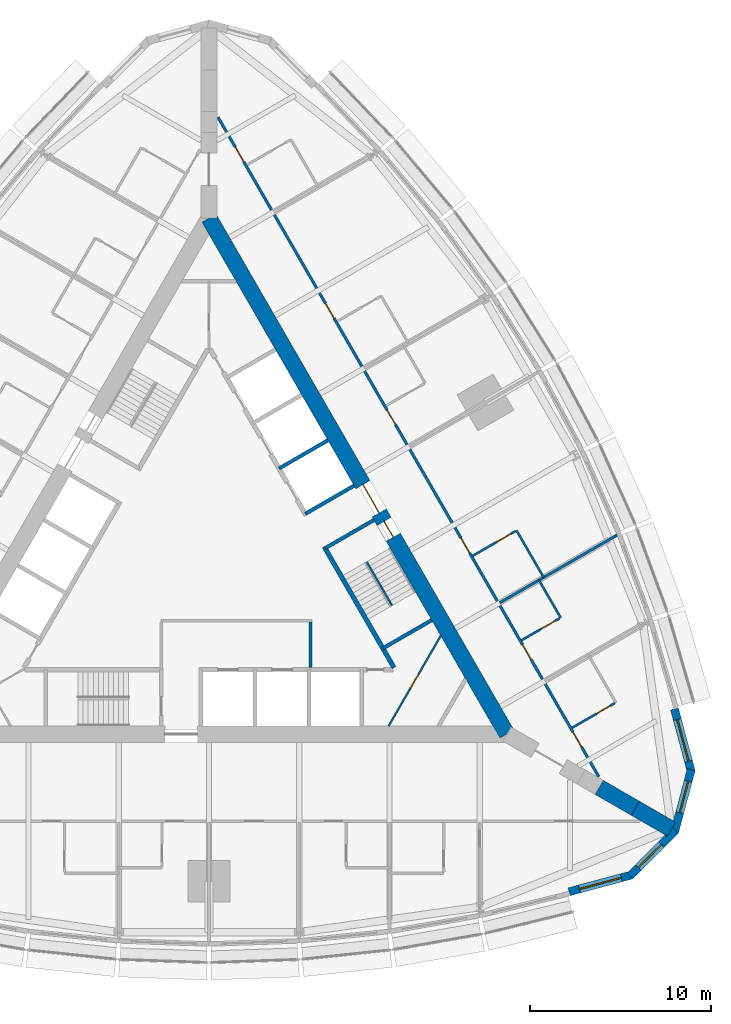
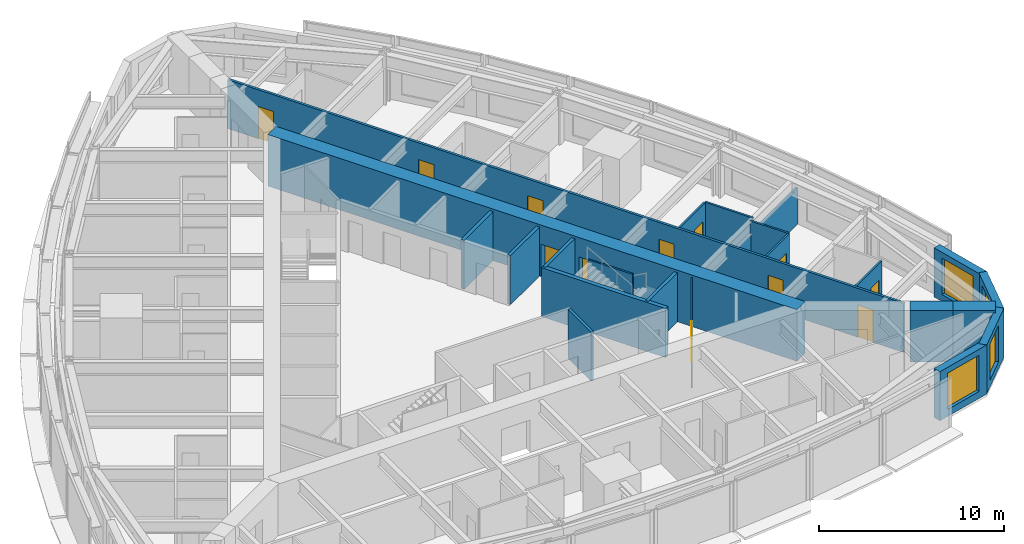
# One storey, part 11 of 14: 22 walls, 12 doors, 4 windows, 16 openings.
"""IFC4 building model written with IfcOpenShell, lengths in metres."""

from ifc_helpers import new_model, si_unit, direction, frame, frame_2d, origin, place, context, subcontext, project, spatial, polyline, rectangle, outline, extrude, material, layer, layer_set, type_object, element, fill, save


model = new_model("IFC4")

# Units and contexts
model_context = context("Model", 3, precision=1e-05, world=origin(), true_north=direction((0.0, 1.0)))
body_context = subcontext(model_context, "Body", "Model", "MODEL_VIEW")
ifc_project = project(units=[si_unit("LENGTHUNIT", "METRE"), si_unit("AREAUNIT", "SQUARE_METRE"), si_unit("VOLUMEUNIT", "CUBIC_METRE"), si_unit("PLANEANGLEUNIT", "RADIAN"), si_unit("MASSUNIT", "GRAM", prefix="KILO")], contexts=[model_context])

# Site, building, storey
site_placement = place(None, origin())
site = spatial("IfcSite", under=ifc_project, at=site_placement, CompositionType="ELEMENT")
building_placement = place(site_placement, origin())
building = spatial("IfcBuilding", under=site, at=building_placement, Name="Trikona Tower", CompositionType="ELEMENT")
storey_placement = place(building_placement, frame((0.0, 0.0, 128.300048828125)))
storey = spatial("IfcBuildingStorey", under=building, at=storey_placement, Name="L33", CompositionType="ELEMENT", Elevation=128.300048828125)

# Wall, opening, door
ifc_material_1 = material(Name="Metal stud and cement board", Category="gypsum")
ifc_layer_1 = layer(ifc_material_1, 0.1201171875)
ifc_layer_set_1 = layer_set([ifc_layer_1], Name="Bathroom wall 120")
wall_type_1 = type_object("IfcWallType", Name="Bathroom wall 120", PredefinedType="PLUMBINGWALL", material=ifc_layer_set_1)
wall_1_placement = place(storey_placement, frame((20.10791015625, -9.17529296875, 0.0), z_axis=(0.0, 0.0, 1.0), x_axis=(0.866035715982, 0.499982138324, 0.0)))
wall_1 = element("IfcWall", 1, at=wall_1_placement, inside=storey, type_object=wall_type_1, Name="Bathroom wall 3306", PredefinedType="PLUMBINGWALL", context=body_context, shape_type="SweptSolid", body=[
    extrude(rectangle(XDim=2.73974609375, YDim=0.1201171875, at=frame_2d((1.369873046875, 0.0))), origin(), (0.0, 0.0, 1.0), 3.23486328125),
])
opening_1_placement = place(wall_1_placement, frame((1.550048828125, 0.0, 0.0)))
opening_1 = element("IfcOpeningElement", 2, at=opening_1_placement, cuts=wall_1, Name="Opening D2", PredefinedType="OPENING", context=body_context, shape_type="SweptSolid", body=[
    extrude(rectangle(XDim=0.89990234375, YDim=2.1298828125, at=frame_2d((0.449951171875, 1.06494140625))), frame((0.0, 0.070068359375, 0.0), z_axis=(0.0, -1.0, 0.0), x_axis=(1.0, 0.0, 0.0)), (0.0, 0.0, 1.0), 0.14013671875),
])
ifc_material_2 = material(Name="Steel door frame with solid-core timber leaf", Category="steel")
door_type_1 = type_object("IfcDoorType", Name="Bathroom door 900x2130", OperationType="SLIDING_TO_LEFT", PredefinedType="DOOR", material=ifc_material_2)
door_1_placement = place(opening_1_placement, origin())
door_1 = element("IfcDoor", 3, at=door_1_placement, inside=storey, type_object=door_type_1, Name="Bathroom door 3306", OperationType="SLIDING_TO_LEFT", OverallHeight=2.1298828125, OverallWidth=0.89990234375, PredefinedType="DOOR", context=body_context, shape_type="SweptSolid", body=[
    extrude(rectangle(XDim=0.89990234375, YDim=2.1298828125, at=frame_2d((0.449951171875, 1.06494140625))), frame((0.0, 0.02490234375, 0.0), z_axis=(0.0, -1.0, 0.0), x_axis=(1.0, 0.0, 0.0)), (0.0, 0.0, 1.0), 0.050048828125),
])
fill(opening_1, door_1)

# Wall
wall_2_placement = place(storey_placement, frame((19.472900390625, -3.07568359375, 0.0), z_axis=(0.0, 0.0, 1.0), x_axis=(-0.499957262057, 0.866050077142, 0.0)))
element("IfcWall", 4, at=wall_2_placement, inside=storey, type_object=wall_type_1, Name="Bathroom wall 3307", PredefinedType="PLUMBINGWALL", context=body_context, shape_type="SweptSolid", body=[
    extrude(rectangle(XDim=2.400146484375, YDim=0.1201171875, at=frame_2d((1.2001953125, 0.0))), origin(), (0.0, 0.0, 1.0), 3.23486328125),
])

# Wall, opening, door
wall_3_placement = place(storey_placement, frame((17.307861328125, -4.32568359375, 0.0), z_axis=(0.0, 0.0, 1.0), x_axis=(0.866023955769, 0.500002508028, 0.0)))
wall_3 = element("IfcWall", 5, at=wall_3_placement, inside=storey, type_object=wall_type_1, Name="Bathroom wall 3307", PredefinedType="PLUMBINGWALL", context=body_context, shape_type="SweptSolid", body=[
    extrude(rectangle(XDim=2.43994140625, YDim=0.1201171875, at=frame_2d((1.219970703125, 0.0))), origin(), (0.0, 0.0, 1.0), 3.23486328125),
])
opening_2_placement = place(wall_3_placement, frame((1.25, 0.0, 0.0)))
opening_2 = element("IfcOpeningElement", 6, at=opening_2_placement, cuts=wall_3, Name="Opening D2", PredefinedType="OPENING", context=body_context, shape_type="SweptSolid", body=[
    extrude(rectangle(XDim=0.89990234375, YDim=2.1298828125, at=frame_2d((0.449951171875, 1.06494140625))), frame((0.0, 0.070068359375, 0.0), z_axis=(0.0, -1.0, 0.0), x_axis=(1.0, 0.0, 0.0)), (0.0, 0.0, 1.0), 0.14013671875),
])
door_2_placement = place(opening_2_placement, origin())
door_2 = element("IfcDoor", 7, at=door_2_placement, inside=storey, type_object=door_type_1, Name="Bathroom door 3307", OperationType="SLIDING_TO_LEFT", OverallHeight=2.1298828125, OverallWidth=0.89990234375, PredefinedType="DOOR", context=body_context, shape_type="SweptSolid", body=[
    extrude(rectangle(XDim=0.89990234375, YDim=2.1298828125, at=frame_2d((0.449951171875, 1.06494140625))), frame((0.0, 0.02490234375, 0.0), z_axis=(0.0, -1.0, 0.0), x_axis=(1.0, 0.0, 0.0)), (0.0, 0.0, 1.0), 0.050048828125),
])
fill(opening_2, door_2)

# Wall
wall_4_placement = place(storey_placement, frame((18.53271484375, -0.84716796875, 0.0), z_axis=(0.0, 0.0, 1.0), x_axis=(-0.499990139034, 0.866031096941, 0.0)))
element("IfcWall", 8, at=wall_4_placement, inside=storey, type_object=wall_type_1, Name="Bathroom wall 3308", PredefinedType="PLUMBINGWALL", context=body_context, shape_type="SweptSolid", body=[
    extrude(rectangle(XDim=3.0, YDim=0.1201171875, at=frame_2d((1.5, 0.0))), origin(), (0.0, 0.0, 1.0), 3.23486328125),
])

# Wall, opening, door
wall_5_placement = place(storey_placement, frame((14.60791015625, 0.35107421875, 0.0), z_axis=(0.0, 0.0, 1.0), x_axis=(0.866035715982, 0.499982138324, 0.0)))
wall_5 = element("IfcWall", 9, at=wall_5_placement, inside=storey, type_object=wall_type_1, Name="Bathroom wall 3308", PredefinedType="PLUMBINGWALL", context=body_context, shape_type="SweptSolid", body=[
    extrude(rectangle(XDim=2.73974609375, YDim=0.1201171875, at=frame_2d((1.369873046875, 0.0))), origin(), (0.0, 0.0, 1.0), 3.23486328125),
])
opening_3_placement = place(wall_5_placement, frame((1.550048828125, 0.0, 0.0)))
opening_3 = element("IfcOpeningElement", 10, at=opening_3_placement, cuts=wall_5, Name="Opening D2", PredefinedType="OPENING", context=body_context, shape_type="SweptSolid", body=[
    extrude(rectangle(XDim=0.89990234375, YDim=2.1298828125, at=frame_2d((0.449951171875, 1.06494140625))), frame((0.0, 0.070068359375, 0.0), z_axis=(0.0, -1.0, 0.0), x_axis=(1.0, 0.0, 0.0)), (0.0, 0.0, 1.0), 0.14013671875),
])
door_3_placement = place(opening_3_placement, origin())
door_3 = element("IfcDoor", 11, at=door_3_placement, inside=storey, type_object=door_type_1, Name="Bathroom door 3308", OperationType="SLIDING_TO_LEFT", OverallHeight=2.1298828125, OverallWidth=0.89990234375, PredefinedType="DOOR", context=body_context, shape_type="SweptSolid", body=[
    extrude(rectangle(XDim=0.89990234375, YDim=2.1298828125, at=frame_2d((0.449951171875, 1.06494140625))), frame((0.0, 0.02490234375, 0.0), z_axis=(0.0, -1.0, 0.0), x_axis=(1.0, 0.0, 0.0)), (0.0, 0.0, 1.0), 0.050048828125),
])
fill(opening_3, door_3)

# Wall, opening, window
ifc_material_3 = material(Name="Brick-faced precast concrete", Category="masonry")
ifc_layer_2 = layer(ifc_material_3, 0.449951171875)
ifc_layer_set_2 = layer_set([ifc_layer_2], Name="Brick-faced corner wall 450")
wall_type_2 = type_object("IfcWallType", Name="Brick-faced corner wall 450", PredefinedType="SOLIDWALL", material=ifc_layer_set_2)
wall_6_placement = place(storey_placement, frame((19.94189453125, -18.2578125, 0.0), z_axis=(0.0, 0.0, 1.0), x_axis=(0.965924653531, 0.258823421857, 0.0)))
wall_6 = element("IfcWall", 12, at=wall_6_placement, inside=storey, type_object=wall_type_2, Name="External wall L33-08", PredefinedType="SOLIDWALL", context=body_context, shape_type="SweptSolid", body=[
    extrude(rectangle(XDim=3.58642578125, YDim=0.449951171875, at=frame_2d((1.793212890625, 0.0))), origin(), (0.0, 0.0, 1.0), 3.23486328125),
])
opening_4_placement = place(wall_6_placement, frame((0.593017578125, 0.0, 0.449951171875)))
opening_4 = element("IfcOpeningElement", 13, at=opening_4_placement, cuts=wall_6, Name="Opening W2424", PredefinedType="OPENING", context=body_context, shape_type="SweptSolid", body=[
    extrude(rectangle(XDim=2.39990234375, YDim=2.39990234375, at=frame_2d((1.199951171875, 1.199951171875))), frame((0.0, 0.23486328125, 0.0), z_axis=(0.0, -1.0, 0.0), x_axis=(1.0, 0.0, 0.0)), (0.0, 0.0, 1.0), 0.469970703125),
])
ifc_material_4 = material(Name="Aluminium-framed double glazing", Category="aluminium")
window_type_1 = type_object("IfcWindowType", Name="Window 2400x2400", PartitioningType="SINGLE_PANEL", PredefinedType="WINDOW", material=ifc_material_4)
window_1_placement = place(opening_4_placement, origin())
window_1 = element("IfcWindow", 14, at=window_1_placement, inside=storey, type_object=window_type_1, Name="Window 3305", OverallHeight=2.39990234375, OverallWidth=2.39990234375, PartitioningType="SINGLE_PANEL", PredefinedType="WINDOW", context=body_context, shape_type="SweptSolid", body=[
    extrude(rectangle(XDim=2.39990234375, YDim=2.39990234375, at=frame_2d((1.199951171875, 1.199951171875))), frame((0.0, 0.030029296875, 0.0), z_axis=(0.0, -1.0, 0.0), x_axis=(1.0, 0.0, 0.0)), (0.0, 0.0, 1.0), 0.06005859375),
])
fill(opening_4, window_1)

wall_7_placement = place(storey_placement, frame((23.304931640625, -17.387939453125, 0.0), z_axis=(0.0, 0.0, 1.0), x_axis=(0.707106781187, 0.707106781187, 0.0)))
wall_7 = element("IfcWall", 15, at=wall_7_placement, inside=storey, type_object=wall_type_2, Name="External wall L33-09", PredefinedType="SOLIDWALL", context=body_context, shape_type="SweptSolid", body=[
    extrude(outline(polyline([(3.586181640625, 0.22509765625), (3.527099609375, 0.22509765625), (3.03515625, 0.09326171875), (3.0, 0.22509765625), (0.0, 0.22509765625), (0.0, -0.22509765625), (3.586181640625, -0.22509765625), (3.586181640625, 0.22509765625)])), origin(), (0.0, 0.0, 1.0), 3.23486328125),
])
opening_5_placement = place(wall_7_placement, frame((0.6748046875, 0.0, 0.449951171875)))
opening_5 = element("IfcOpeningElement", 16, at=opening_5_placement, cuts=wall_7, Name="Opening W1824", PredefinedType="OPENING", context=body_context, shape_type="SweptSolid", body=[
    extrude(rectangle(XDim=1.800048828125, YDim=2.39990234375, at=frame_2d((0.89990234375, 1.199951171875))), frame((0.0, 0.23486328125, 0.0), z_axis=(0.0, -1.0, 0.0), x_axis=(1.0, 0.0, 0.0)), (0.0, 0.0, 1.0), 0.469970703125),
])
ifc_material_5 = material(Name="Aluminium-framed double glazing", Category="aluminium")
window_type_2 = type_object("IfcWindowType", Name="Window 1800x2400", PartitioningType="SINGLE_PANEL", PredefinedType="WINDOW", material=ifc_material_5)
window_2_placement = place(opening_5_placement, origin())
window_2 = element("IfcWindow", 17, at=window_2_placement, inside=storey, type_object=window_type_2, Name="Window 3305", OverallHeight=2.39990234375, OverallWidth=1.800048828125, PartitioningType="SINGLE_PANEL", PredefinedType="WINDOW", context=body_context, shape_type="SweptSolid", body=[
    extrude(rectangle(XDim=1.800048828125, YDim=2.39990234375, at=frame_2d((0.89990234375, 1.199951171875))), frame((0.0, 0.030029296875, 0.0), z_axis=(0.0, -1.0, 0.0), x_axis=(1.0, 0.0, 0.0)), (0.0, 0.0, 1.0), 0.06005859375),
])
fill(opening_5, window_2)

wall_8_placement = place(storey_placement, frame((25.78271484375, -14.952880859375, 0.0), z_axis=(0.0, 0.0, 1.0), x_axis=(0.258823421857, 0.965924653531, 0.0)))
wall_8 = element("IfcWall", 18, at=wall_8_placement, inside=storey, type_object=wall_type_2, Name="External wall L33-10", PredefinedType="SOLIDWALL", context=body_context, shape_type="SweptSolid", body=[
    extrude(outline(polyline([(3.58642578125, 0.22509765625), (0.58642578125, 0.22509765625), (0.551025390625, 0.09326171875), (0.0595703125, 0.22509765625), (0.0, 0.22509765625), (0.0, -0.22509765625), (3.58642578125, -0.22509765625), (3.58642578125, 0.22509765625)])), origin(), (0.0, 0.0, 1.0), 3.23486328125),
])
opening_6_placement = place(wall_8_placement, frame((1.111328125, 0.0, 0.449951171875)))
opening_6 = element("IfcOpeningElement", 19, at=opening_6_placement, cuts=wall_8, Name="Opening W1824", PredefinedType="OPENING", context=body_context, shape_type="SweptSolid", body=[
    extrude(rectangle(XDim=1.800048828125, YDim=2.39990234375, at=frame_2d((0.89990234375, 1.199951171875))), frame((0.0, 0.23486328125, 0.0), z_axis=(0.0, -1.0, 0.0), x_axis=(1.0, 0.0, 0.0)), (0.0, 0.0, 1.0), 0.469970703125),
])
window_3_placement = place(opening_6_placement, origin())
window_3 = element("IfcWindow", 20, at=window_3_placement, inside=storey, type_object=window_type_2, Name="Window 3306", OverallHeight=2.39990234375, OverallWidth=1.800048828125, PartitioningType="SINGLE_PANEL", PredefinedType="WINDOW", context=body_context, shape_type="SweptSolid", body=[
    extrude(rectangle(XDim=1.800048828125, YDim=2.39990234375, at=frame_2d((0.89990234375, 1.199951171875))), frame((0.0, 0.030029296875, 0.0), z_axis=(0.0, -1.0, 0.0), x_axis=(1.0, 0.0, 0.0)), (0.0, 0.0, 1.0), 0.06005859375),
])
fill(opening_6, window_3)

wall_9_placement = place(storey_placement, frame((26.7109375, -11.605224609375, 0.0), z_axis=(0.0, 0.0, 1.0), x_axis=(-0.258823421857, 0.965924653531, 0.0)))
wall_9 = element("IfcWall", 21, at=wall_9_placement, inside=storey, type_object=wall_type_2, Name="External wall L33-11", PredefinedType="SOLIDWALL", context=body_context, shape_type="SweptSolid", body=[
    extrude(rectangle(XDim=3.58642578125, YDim=0.449951171875, at=frame_2d((1.793212890625, 0.0))), origin(), (0.0, 0.0, 1.0), 3.23486328125),
])
opening_7_placement = place(wall_9_placement, frame((0.593017578125, 0.0, 0.449951171875)))
opening_7 = element("IfcOpeningElement", 22, at=opening_7_placement, cuts=wall_9, Name="Opening W2424", PredefinedType="OPENING", context=body_context, shape_type="SweptSolid", body=[
    extrude(rectangle(XDim=2.39990234375, YDim=2.39990234375, at=frame_2d((1.199951171875, 1.199951171875))), frame((0.0, 0.23486328125, 0.0), z_axis=(0.0, -1.0, 0.0), x_axis=(1.0, 0.0, 0.0)), (0.0, 0.0, 1.0), 0.469970703125),
])
window_4_placement = place(opening_7_placement, origin())
window_4 = element("IfcWindow", 23, at=window_4_placement, inside=storey, type_object=window_type_1, Name="Window 3306", OverallHeight=2.39990234375, OverallWidth=2.39990234375, PartitioningType="SINGLE_PANEL", PredefinedType="WINDOW", context=body_context, shape_type="SweptSolid", body=[
    extrude(rectangle(XDim=2.39990234375, YDim=2.39990234375, at=frame_2d((1.199951171875, 1.199951171875))), frame((0.0, 0.030029296875, 0.0), z_axis=(0.0, -1.0, 0.0), x_axis=(1.0, 0.0, 0.0)), (0.0, 0.0, 1.0), 0.06005859375),
])
fill(opening_7, window_4)

# Walls
ifc_material_6 = material(Name="Concrete f'c 10000 psi", Category="concrete")
ifc_layer_3 = layer(ifc_material_6, 0.89990234375)
ifc_layer_set_3 = layer_set([ifc_layer_3], Name="Buttress wall 900")
wall_type_3 = type_object("IfcWallType", Name="Buttress wall 900", PredefinedType="SHEAR", material=ifc_layer_set_3)
for number, where, z_axis, x_axis, name in (
    (24, (21.6103515625, -12.476806640625, 0.0), (0.0, 0.0, 1.0), (0.866055313784, -0.499948190782, 0.0), "Buttress wall 1 part 3"),
    (25, (23.6103515625, -13.63134765625, 0.0), (0.0, 0.0, 1.0), (0.866009537788, -0.500027479704, 0.0), "Buttress wall 1 part 4"),
):
    element("IfcWall", number, at=place(storey_placement, frame(where, z_axis=z_axis, x_axis=x_axis)), inside=storey, type_object=wall_type_3, Name=name, PredefinedType="SHEAR", context=body_context, shape_type="SweptSolid", body=[
        extrude(rectangle(XDim=2.309326171875, YDim=0.89990234375, at=frame_2d((1.15478515625, 0.0))), origin(), (0.0, 0.0, 1.0), 3.39990234375),
    ])

# Wall, openings, doors
ifc_material_7 = material(Name="Concrete f'c 10000 psi", Category="concrete")
ifc_layer_4 = layer(ifc_material_7, 0.89990234375)
ifc_layer_set_4 = layer_set([ifc_layer_4], Name="Core wall 900")
wall_type_4 = type_object("IfcWallType", Name="Core wall 900", PredefinedType="SHEAR", material=ifc_layer_set_4)
wall_10_placement = place(storey_placement, frame((16.5, -9.5263671875, 0.0), z_axis=(0.0, 0.0, 1.0), x_axis=(-0.499999749417, 0.866025548458, 0.0)))
wall_10 = element("IfcWall", 26, at=wall_10_placement, inside=storey, type_object=wall_type_4, Name="Core wall B", PredefinedType="SHEAR", context=body_context, shape_type="SweptSolid", body=[
    extrude(rectangle(XDim=33.0, YDim=0.89990234375, at=frame_2d((16.5, 0.0))), origin(), (0.0, 0.0, 1.0), 3.39990234375),
])
opening_8_placement = place(wall_10_placement, frame((14.14990234375, 0.0, 0.0)))
opening_8 = element("IfcOpeningElement", 27, at=opening_8_placement, cuts=wall_10, Name="Opening D6", PredefinedType="OPENING", context=body_context, shape_type="SweptSolid", body=[
    extrude(rectangle(XDim=1.800048828125, YDim=2.1298828125, at=frame_2d((0.89990234375, 1.06494140625))), frame((0.0, 0.4599609375, 0.0), z_axis=(0.0, -1.0, 0.0), x_axis=(1.0, 0.0, 0.0)), (0.0, 0.0, 1.0), 0.919921875),
])
opening_9_placement = place(wall_10_placement, frame((12.60009765625, 0.0, 0.0)))
opening_9 = element("IfcOpeningElement", 28, at=opening_9_placement, cuts=wall_10, Name="Opening D5", PredefinedType="OPENING", context=body_context, shape_type="SweptSolid", body=[
    extrude(rectangle(XDim=1.0, YDim=2.1298828125, at=frame_2d((0.5, 1.06494140625))), frame((0.0, 0.4599609375, 0.0), z_axis=(0.0, -1.0, 0.0), x_axis=(1.0, 0.0, 0.0)), (0.0, 0.0, 1.0), 0.919921875),
])
ifc_material_8 = material(Name="Hollow metal door and frame", Category="steel")
door_type_2 = type_object("IfcDoorType", Name="Lobby door pair 1800x2130", OperationType="DOUBLE_DOOR_SINGLE_SWING", PredefinedType="DOOR", material=ifc_material_8)
door_4_placement = place(opening_8_placement, origin())
door_4 = element("IfcDoor", 29, at=door_4_placement, inside=storey, type_object=door_type_2, Name="Lift lobby door B", OperationType="DOUBLE_DOOR_SINGLE_SWING", OverallHeight=2.1298828125, OverallWidth=1.800048828125, PredefinedType="DOOR", context=body_context, shape_type="SweptSolid", body=[
    extrude(rectangle(XDim=1.800048828125, YDim=2.1298828125, at=frame_2d((0.89990234375, 1.06494140625))), frame((0.0, 0.02490234375, 0.0), z_axis=(0.0, -1.0, 0.0), x_axis=(1.0, 0.0, 0.0)), (0.0, 0.0, 1.0), 0.050048828125),
])
fill(opening_8, door_4)
ifc_material_9 = material(Name="Hollow metal door and frame", Category="steel")
door_type_3 = type_object("IfcDoorType", Name="Stair door 1000x2130", OperationType="SINGLE_SWING_LEFT", PredefinedType="DOOR", material=ifc_material_9)
door_5_placement = place(opening_9_placement, origin())
door_5 = element("IfcDoor", 30, at=door_5_placement, inside=storey, type_object=door_type_3, Name="Stair B door", OperationType="SINGLE_SWING_RIGHT", OverallHeight=2.1298828125, OverallWidth=1.0, PredefinedType="DOOR", context=body_context, shape_type="SweptSolid", body=[
    extrude(rectangle(XDim=1.0, YDim=2.1298828125, at=frame_2d((0.5, 1.06494140625))), frame((0.0, 0.02490234375, 0.0), z_axis=(0.0, -1.0, 0.0), x_axis=(1.0, 0.0, 0.0)), (0.0, 0.0, 1.0), 0.050048828125),
])
fill(opening_9, door_5)

ifc_material_10 = material(Name="Metal stud and gypsum board, 1-hour", Category="gypsum")
ifc_layer_5 = layer(ifc_material_10, 0.14990234375)
ifc_layer_set_5 = layer_set([ifc_layer_5], Name="Corridor wall 150")
wall_type_5 = type_object("IfcWallType", Name="Corridor wall 150", PredefinedType="PARTITIONING", material=ifc_layer_set_5)
wall_11_placement = place(storey_placement, frame((21.5859375, -11.88525390625, 0.0), z_axis=(0.0, 0.0, 1.0), x_axis=(-0.500001915564, 0.86602429783, 0.0)))
wall_11 = element("IfcWall", 31, at=wall_11_placement, inside=storey, type_object=wall_type_5, Name="Corridor wall L33-2", PredefinedType="PARTITIONING", context=body_context, shape_type="SweptSolid", body=[
    extrude(rectangle(XDim=42.171630859375, YDim=0.14990234375, at=frame_2d((21.0859375, 0.0))), origin(), (0.0, 0.0, 1.0), 3.23486328125),
])
opening_10_placement = place(wall_11_placement, frame((1.910888671875, 0.0, 0.0)))
opening_10 = element("IfcOpeningElement", 32, at=opening_10_placement, cuts=wall_11, Name="Opening D1", PredefinedType="OPENING", context=body_context, shape_type="SweptSolid", body=[
    extrude(rectangle(XDim=0.949951171875, YDim=2.1298828125, at=frame_2d((0.47509765625, 1.06494140625))), frame((0.0, 0.0849609375, 0.0), z_axis=(0.0, -1.0, 0.0), x_axis=(1.0, 0.0, 0.0)), (0.0, 0.0, 1.0), 0.169921875),
])
opening_11_placement = place(wall_11_placement, frame((7.510986328125, 0.0, 0.0)))
opening_11 = element("IfcOpeningElement", 33, at=opening_11_placement, cuts=wall_11, Name="Opening D1", PredefinedType="OPENING", context=body_context, shape_type="SweptSolid", body=[
    extrude(rectangle(XDim=0.949951171875, YDim=2.1298828125, at=frame_2d((0.47509765625, 1.06494140625))), frame((0.0, 0.0849609375, 0.0), z_axis=(0.0, -1.0, 0.0), x_axis=(1.0, 0.0, 0.0)), (0.0, 0.0, 1.0), 0.169921875),
])
opening_12_placement = place(wall_11_placement, frame((14.310791015625, 0.0, 0.0)))
opening_12 = element("IfcOpeningElement", 34, at=opening_12_placement, cuts=wall_11, Name="Opening D1", PredefinedType="OPENING", context=body_context, shape_type="SweptSolid", body=[
    extrude(rectangle(XDim=0.949951171875, YDim=2.1298828125, at=frame_2d((0.47509765625, 1.06494140625))), frame((0.0, 0.0849609375, 0.0), z_axis=(0.0, -1.0, 0.0), x_axis=(1.0, 0.0, 0.0)), (0.0, 0.0, 1.0), 0.169921875),
])
opening_13_placement = place(wall_11_placement, frame((22.510986328125, 0.0, 0.0)))
opening_13 = element("IfcOpeningElement", 35, at=opening_13_placement, cuts=wall_11, Name="Opening D1", PredefinedType="OPENING", context=body_context, shape_type="SweptSolid", body=[
    extrude(rectangle(XDim=0.949951171875, YDim=2.1298828125, at=frame_2d((0.47509765625, 1.06494140625))), frame((0.0, 0.0849609375, 0.0), z_axis=(0.0, -1.0, 0.0), x_axis=(1.0, 0.0, 0.0)), (0.0, 0.0, 1.0), 0.169921875),
])
opening_14_placement = place(wall_11_placement, frame((29.310791015625, 0.0, 0.0)))
opening_14 = element("IfcOpeningElement", 36, at=opening_14_placement, cuts=wall_11, Name="Opening D1", PredefinedType="OPENING", context=body_context, shape_type="SweptSolid", body=[
    extrude(rectangle(XDim=0.949951171875, YDim=2.1298828125, at=frame_2d((0.47509765625, 1.06494140625))), frame((0.0, 0.0849609375, 0.0), z_axis=(0.0, -1.0, 0.0), x_axis=(1.0, 0.0, 0.0)), (0.0, 0.0, 1.0), 0.169921875),
])
opening_15_placement = place(wall_11_placement, frame((39.310791015625, 0.0, 0.0)))
opening_15 = element("IfcOpeningElement", 37, at=opening_15_placement, cuts=wall_11, Name="Opening D1", PredefinedType="OPENING", context=body_context, shape_type="SweptSolid", body=[
    extrude(rectangle(XDim=0.949951171875, YDim=2.1298828125, at=frame_2d((0.47509765625, 1.06494140625))), frame((0.0, 0.0849609375, 0.0), z_axis=(0.0, -1.0, 0.0), x_axis=(1.0, 0.0, 0.0)), (0.0, 0.0, 1.0), 0.169921875),
])
ifc_material_11 = material(Name="Steel door frame with solid-core timber leaf", Category="steel")
door_type_4 = type_object("IfcDoorType", Name="Guest room door 950x2130", OperationType="SINGLE_SWING_LEFT", PredefinedType="DOOR", material=ifc_material_11)
door_6_placement = place(opening_10_placement, origin())
door_6 = element("IfcDoor", 38, at=door_6_placement, inside=storey, type_object=door_type_4, Name="Room door 3306", OperationType="SINGLE_SWING_LEFT", OverallHeight=2.1298828125, OverallWidth=0.949951171875, PredefinedType="DOOR", context=body_context, shape_type="SweptSolid", body=[
    extrude(rectangle(XDim=0.949951171875, YDim=2.1298828125, at=frame_2d((0.47509765625, 1.06494140625))), frame((0.0, 0.02490234375, 0.0), z_axis=(0.0, -1.0, 0.0), x_axis=(1.0, 0.0, 0.0)), (0.0, 0.0, 1.0), 0.050048828125),
])
fill(opening_10, door_6)
door_7_placement = place(opening_11_placement, origin())
door_7 = element("IfcDoor", 39, at=door_7_placement, inside=storey, type_object=door_type_4, Name="Room door 3307", OperationType="SINGLE_SWING_RIGHT", OverallHeight=2.1298828125, OverallWidth=0.949951171875, PredefinedType="DOOR", context=body_context, shape_type="SweptSolid", body=[
    extrude(rectangle(XDim=0.949951171875, YDim=2.1298828125, at=frame_2d((0.47509765625, 1.06494140625))), frame((0.0, 0.02490234375, 0.0), z_axis=(0.0, -1.0, 0.0), x_axis=(1.0, 0.0, 0.0)), (0.0, 0.0, 1.0), 0.050048828125),
])
fill(opening_11, door_7)
door_8_placement = place(opening_12_placement, origin())
door_8 = element("IfcDoor", 40, at=door_8_placement, inside=storey, type_object=door_type_4, Name="Room door 3308", OperationType="SINGLE_SWING_LEFT", OverallHeight=2.1298828125, OverallWidth=0.949951171875, PredefinedType="DOOR", context=body_context, shape_type="SweptSolid", body=[
    extrude(rectangle(XDim=0.949951171875, YDim=2.1298828125, at=frame_2d((0.47509765625, 1.06494140625))), frame((0.0, 0.02490234375, 0.0), z_axis=(0.0, -1.0, 0.0), x_axis=(1.0, 0.0, 0.0)), (0.0, 0.0, 1.0), 0.050048828125),
])
fill(opening_12, door_8)
door_9_placement = place(opening_13_placement, origin())
door_9 = element("IfcDoor", 41, at=door_9_placement, inside=storey, type_object=door_type_4, Name="Room door 3309", OperationType="SINGLE_SWING_RIGHT", OverallHeight=2.1298828125, OverallWidth=0.949951171875, PredefinedType="DOOR", context=body_context, shape_type="SweptSolid", body=[
    extrude(rectangle(XDim=0.949951171875, YDim=2.1298828125, at=frame_2d((0.47509765625, 1.06494140625))), frame((0.0, 0.02490234375, 0.0), z_axis=(0.0, -1.0, 0.0), x_axis=(1.0, 0.0, 0.0)), (0.0, 0.0, 1.0), 0.050048828125),
])
fill(opening_13, door_9)
door_10_placement = place(opening_14_placement, origin())
door_10 = element("IfcDoor", 42, at=door_10_placement, inside=storey, type_object=door_type_4, Name="Room door 3310", OperationType="SINGLE_SWING_LEFT", OverallHeight=2.1298828125, OverallWidth=0.949951171875, PredefinedType="DOOR", context=body_context, shape_type="SweptSolid", body=[
    extrude(rectangle(XDim=0.949951171875, YDim=2.1298828125, at=frame_2d((0.47509765625, 1.06494140625))), frame((0.0, 0.02490234375, 0.0), z_axis=(0.0, -1.0, 0.0), x_axis=(1.0, 0.0, 0.0)), (0.0, 0.0, 1.0), 0.050048828125),
])
fill(opening_14, door_10)
door_11_placement = place(opening_15_placement, origin())
door_11 = element("IfcDoor", 43, at=door_11_placement, inside=storey, type_object=door_type_4, Name="Room door 3311", OperationType="SINGLE_SWING_RIGHT", OverallHeight=2.1298828125, OverallWidth=0.949951171875, PredefinedType="DOOR", context=body_context, shape_type="SweptSolid", body=[
    extrude(rectangle(XDim=0.949951171875, YDim=2.1298828125, at=frame_2d((0.47509765625, 1.06494140625))), frame((0.0, 0.02490234375, 0.0), z_axis=(0.0, -1.0, 0.0), x_axis=(1.0, 0.0, 0.0)), (0.0, 0.0, 1.0), 0.050048828125),
])
fill(opening_15, door_11)

# Walls
ifc_material_12 = material(Name="Concrete f'c 8000 psi", Category="concrete")
ifc_layer_6 = layer(ifc_material_12, 0.25)
ifc_layer_set_6 = layer_set([ifc_layer_6], Name="Hub wall 250")
wall_type_6 = type_object("IfcWallType", Name="Hub wall 250", PredefinedType="SOLIDWALL", material=ifc_layer_set_6)
wall_12_placement = place(storey_placement, frame((10.245361328125, -5.843017578125, 0.0), z_axis=(0.0, 0.0, 1.0), x_axis=(-0.499993009313, 0.866029439822, 0.0)))
element("IfcWall", 44, at=wall_12_placement, inside=storey, type_object=wall_type_6, Name="Lift lobby wall B1", PredefinedType="SOLIDWALL", context=body_context, shape_type="SweptSolid", body=[
    extrude(rectangle(XDim=7.73291015625, YDim=0.25, at=frame_2d((3.866455078125, 0.0))), origin(), (0.0, 0.0, 1.0), 3.23486328125),
])
ifc_material_13 = material(Name="Metal stud and gypsum board, 2-hour shaft wall", Category="gypsum")
ifc_layer_7 = layer(ifc_material_13, 0.14990234375)
ifc_layer_set_7 = layer_set([ifc_layer_7], Name="Lobby wall 150")
wall_type_7 = type_object("IfcWallType", Name="Lobby wall 150", PredefinedType="PARTITIONING", material=ifc_layer_set_7)
wall_13_placement = place(storey_placement, frame((5.625, -5.826416015625, 0.0), z_axis=(0.0, 0.0, 1.0), x_axis=(0.0, 1.0, 0.0)))
element("IfcWall", 45, at=wall_13_placement, inside=storey, type_object=wall_type_7, Name="Fire service lift lobby wall 3", PredefinedType="PARTITIONING", context=body_context, shape_type="SweptSolid", body=[
    extrude(rectangle(XDim=2.5, YDim=0.14990234375, at=frame_2d((1.25, 0.0))), origin(), (0.0, 0.0, 1.0), 3.23486328125),
])
ifc_material_14 = material(Name="Metal stud and gypsum board, 1-hour acoustic", Category="gypsum")
ifc_layer_8 = layer(ifc_material_14, 0.14990234375)
ifc_layer_set_8 = layer_set([ifc_layer_8], Name="Party wall 150")
wall_type_8 = type_object("IfcWallType", Name="Party wall 150", PredefinedType="PARTITIONING", material=ifc_layer_set_8)
wall_14_placement = place(storey_placement, frame((16.10791015625, -2.2470703125, 0.0), z_axis=(0.0, 0.0, 1.0), x_axis=(0.866025567496, 0.499999716443, 0.0)))
element("IfcWall", 46, at=wall_14_placement, inside=storey, type_object=wall_type_8, Name="Partition L33 F2 u-10", PredefinedType="PARTITIONING", context=body_context, shape_type="SweptSolid", body=[
    extrude(rectangle(XDim=7.4951171875, YDim=0.14990234375, at=frame_2d((3.74755859375, 0.0))), origin(), (0.0, 0.0, 1.0), 2.38916015625),
])
ifc_material_15 = material(Name="Concrete f'c 8000 psi", Category="concrete")
ifc_layer_9 = layer(ifc_material_15, 0.199951171875)
ifc_layer_set_9 = layer_set([ifc_layer_9], Name="Shaft wall 200")
wall_type_9 = type_object("IfcWallType", Name="Shaft wall 200", PredefinedType="SOLIDWALL", material=ifc_layer_set_9)
for number, where, z_axis, x_axis, name in (
    (47, (5.3291015625, 2.672607421875, 0.0), (0.0, 0.0, 1.0), (0.866022959057, 0.500004234368, 0.0), "Shaft wall B3"),
    (48, (3.87890625, 5.18408203125, 0.0), (0.0, 0.0, 1.0), (0.866022959057, 0.500004234368, 0.0), "Shaft wall B4"),
):
    element("IfcWall", number, at=place(storey_placement, frame(where, z_axis=z_axis, x_axis=x_axis)), inside=storey, type_object=wall_type_9, Name=name, PredefinedType="SOLIDWALL", context=body_context, shape_type="SweptSolid", body=[
        extrude(rectangle(XDim=3.125, YDim=0.199951171875, at=frame_2d((1.5625, 0.0))), origin(), (0.0, 0.0, 1.0), 3.23486328125),
    ])
ifc_material_16 = material(Name="Concrete f'c 8000 psi", Category="concrete")
ifc_layer_10 = layer(ifc_material_16, 0.199951171875)
ifc_layer_set_10 = layer_set([ifc_layer_10], Name="Shaft wall 200 load-bearing")
wall_type_10 = type_object("IfcWallType", Name="Shaft wall 200 load-bearing", PredefinedType="SOLIDWALL", material=ifc_layer_set_10)
for number, where, z_axis, x_axis, name in (
    (49, (9.62890625, -4.775390625, 0.0), (0.0, 0.0, 1.0), (0.866022959057, 0.500004234368, 0.0), "Shaft wall B1"),
    (50, (6.428955078125, 0.767333984375, 0.0), (0.0, 0.0, 1.0), (0.866022959057, 0.500004234368, 0.0), "Shaft wall B2"),
):
    element("IfcWall", number, at=place(storey_placement, frame(where, z_axis=z_axis, x_axis=x_axis)), inside=storey, type_object=wall_type_10, Name=name, PredefinedType="SOLIDWALL", context=body_context, shape_type="SweptSolid", body=[
        extrude(rectangle(XDim=3.125, YDim=0.199951171875, at=frame_2d((1.5625, 0.0))), origin(), (0.0, 0.0, 1.0), 3.23486328125),
    ])
ifc_material_17 = material(Name="Concrete f'c 5000 psi", Category="concrete")
ifc_layer_11 = layer(ifc_material_17, 0.10009765625)
ifc_layer_set_11 = layer_set([ifc_layer_11], Name="Stair spine wall 100")
wall_type_11 = type_object("IfcWallType", Name="Stair spine wall 100", PredefinedType="SOLIDWALL", material=ifc_layer_set_11)
wall_15_placement = place(storey_placement, frame((10.134765625, -2.4013671875, 0.0), z_axis=(0.0, 0.0, 1.0), x_axis=(-0.499992232847, 0.866029888106, 0.0)))
element("IfcWall", 51, at=wall_15_placement, inside=storey, type_object=wall_type_11, Name="Stair B spine wall L33", PredefinedType="SOLIDWALL", context=body_context, shape_type="SweptSolid", body=[
    extrude(rectangle(XDim=2.7939453125, YDim=0.10009765625, at=frame_2d((1.39697265625, 0.0))), origin(), (0.0, 0.0, 1.0), 3.39990234375),
])

# Wall, opening, door
ifc_material_18 = material(Name="Metal stud and gypsum board, acoustic", Category="gypsum")
ifc_layer_12 = layer(ifc_material_18, 0.10009765625)
ifc_layer_set_12 = layer_set([ifc_layer_12], Name="Suite partition 100")
wall_type_12 = type_object("IfcWallType", Name="Suite partition 100", PredefinedType="PARTITIONING", material=ifc_layer_set_12)
wall_16_placement = place(storey_placement, frame((12.833984375, -4.076416015625, 0.0), z_axis=(0.0, 0.0, 1.0), x_axis=(-0.500027479704, -0.866009537788, 0.0)))
wall_16 = element("IfcWall", 52, at=wall_16_placement, inside=storey, type_object=wall_type_12, Name="Store partition L33-RS1", PredefinedType="PARTITIONING", context=body_context, shape_type="SweptSolid", body=[
    extrude(rectangle(XDim=5.773681640625, YDim=0.10009765625, at=frame_2d((2.88671875, 0.0))), origin(), (0.0, 0.0, 1.0), 3.23486328125),
])
opening_16_placement = place(wall_16_placement, frame((2.436767578125, 0.0, 0.0)))
opening_16 = element("IfcOpeningElement", 53, at=opening_16_placement, cuts=wall_16, Name="Opening D15", PredefinedType="OPENING", context=body_context, shape_type="SweptSolid", body=[
    extrude(rectangle(XDim=0.89990234375, YDim=2.1298828125, at=frame_2d((0.449951171875, 1.06494140625))), frame((0.0, 0.06005859375, 0.0), z_axis=(0.0, -1.0, 0.0), x_axis=(1.0, 0.0, 0.0)), (0.0, 0.0, 1.0), 0.1201171875),
])
ifc_material_19 = material(Name="Steel door frame with solid-core timber leaf", Category="steel")
door_type_5 = type_object("IfcDoorType", Name="Store door 900x2130", OperationType="SINGLE_SWING_LEFT", PredefinedType="DOOR", material=ifc_material_19)
door_12_placement = place(opening_16_placement, origin())
door_12 = element("IfcDoor", 54, at=door_12_placement, inside=storey, type_object=door_type_5, Name="Door Storage STO", OperationType="SINGLE_SWING_RIGHT", OverallHeight=2.1298828125, OverallWidth=0.89990234375, PredefinedType="DOOR", context=body_context, shape_type="SweptSolid", body=[
    extrude(rectangle(XDim=0.89990234375, YDim=2.1298828125, at=frame_2d((0.449951171875, 1.06494140625))), frame((0.0, 0.02490234375, 0.0), z_axis=(0.0, -1.0, 0.0), x_axis=(1.0, 0.0, 0.0)), (0.0, 0.0, 1.0), 0.050048828125),
])
fill(opening_16, door_12)

save(model, "model.ifc")
